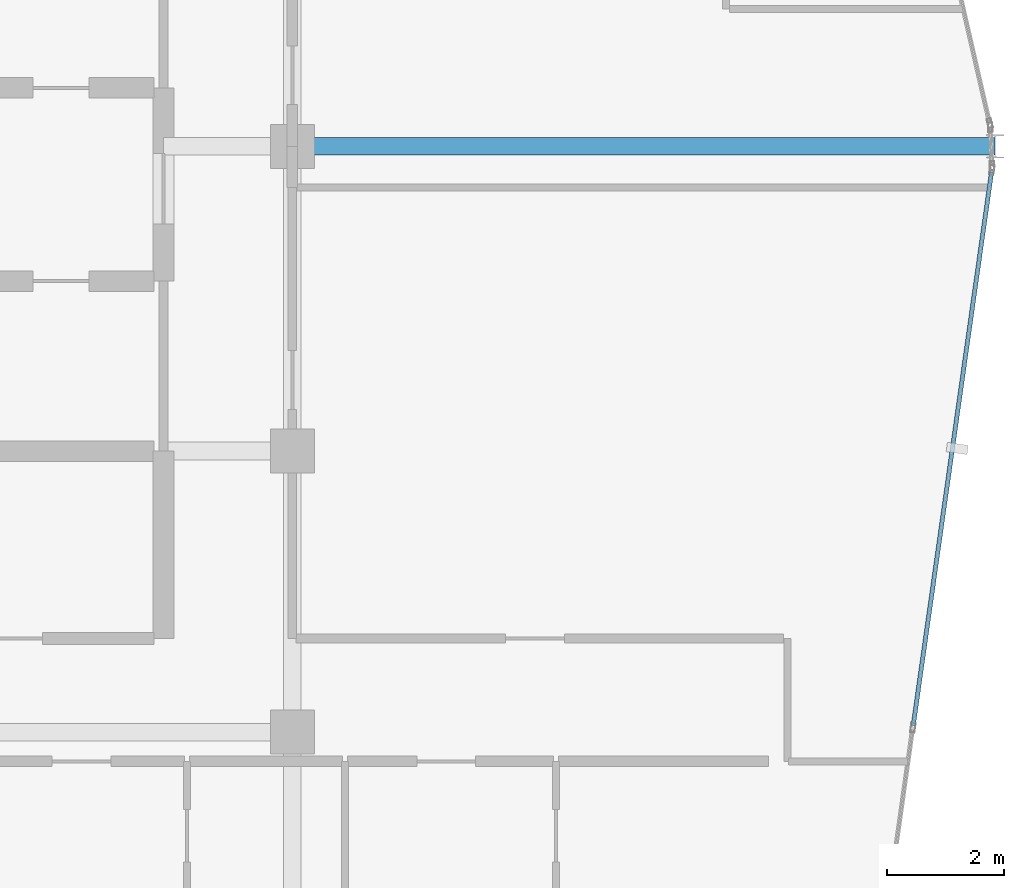
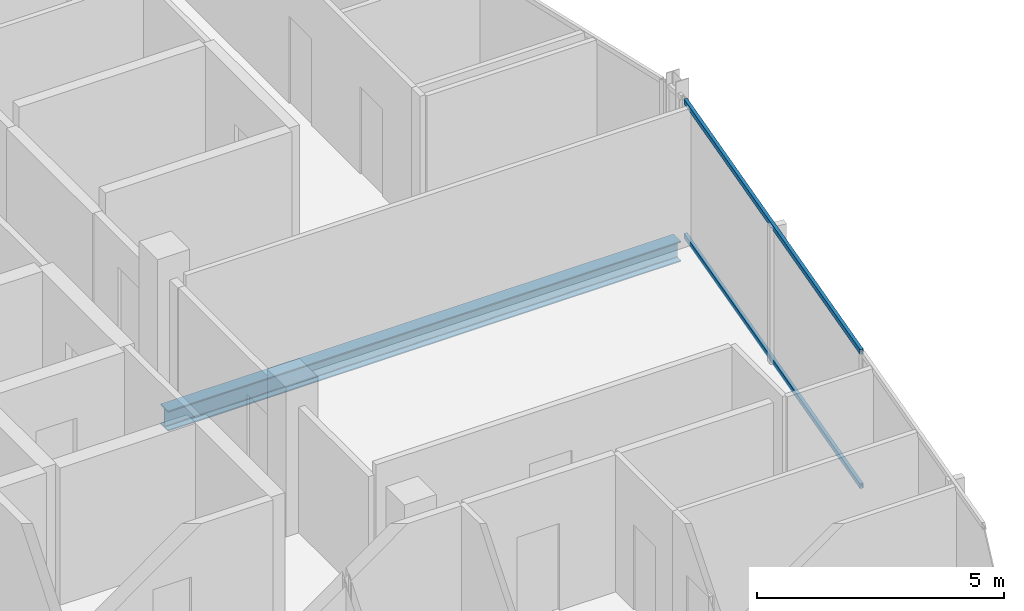
# One storey, part 15 of 30: 2 members, 1 beam, 1 element without a shape of its own.
"""IFC4 building model written with IfcOpenShell, lengths in metres."""

from ifc_helpers import new_model, si_unit, direction, frame, origin, origin_2d, place, context, subcontext, project, spatial, hollow_rectangle, i_section, extrude, material, layer, layer_set, material_profile, profile_set, type_object, element, aggregate, save


model = new_model("IFC4")

# Units and contexts
model_context = context("Model", 3, precision=1e-05, world=origin(), true_north=direction((0.0, 1.0)))
body_context = subcontext(model_context, "Body", "Model", "MODEL_VIEW")
ifc_project = project(units=[si_unit("LENGTHUNIT", "METRE"), si_unit("AREAUNIT", "SQUARE_METRE"), si_unit("VOLUMEUNIT", "CUBIC_METRE"), si_unit("PLANEANGLEUNIT", "RADIAN"), si_unit("MASSUNIT", "GRAM", prefix="KILO")], contexts=[model_context])

# Site, building, storey
site_placement = place(None, origin())
site = spatial("IfcSite", under=ifc_project, at=site_placement, CompositionType="ELEMENT")
building_placement = place(site_placement, origin())
building = spatial("IfcBuilding", under=site, at=building_placement, Name="Keshet Zoharim Tower", CompositionType="ELEMENT")
storey_placement = place(building_placement, frame((0.0, 0.0, 280.60009765625)))
storey = spatial("IfcBuildingStorey", under=building, at=storey_placement, Name="L70", CompositionType="ELEMENT", Elevation=280.60009765625)

# Beam
ifc_material_1 = material(Name="Steel S355", Category="steel")
ifc_material_profile_1 = material_profile(ifc_material_1, i_section(OverallWidth=0.300048828125, OverallDepth=0.5, WebThickness=0.014404296875, FlangeThickness=0.028076171875, FilletRadius=0.027099609375, at=origin_2d()), Name="HEB500")
ifc_profile_set_1 = profile_set([ifc_material_profile_1], Name="Steel S355")
beam_type = type_object("IfcBeamType", Name="BM-MED-HB500", PredefinedType="BEAM", material=ifc_profile_set_1)
beam_placement = place(storey_placement, frame((33.0, 27.89990234375, -0.56005859375), z_axis=(1.0, 0.0, 0.0), x_axis=(0.0, 1.0, 0.0)))
element("IfcBeam", 1, at=beam_placement, inside=storey, type_object=beam_type, Name="L70 Primary Girder X-007", PredefinedType="BEAM", context=body_context, shape_type="SweptSolid", body=[
    extrude(i_section(OverallWidth=0.300048828125, OverallDepth=0.5, WebThickness=0.014404296875, FlangeThickness=0.028076171875, FilletRadius=0.027099609375, at=origin_2d()), origin(), (0.0, 0.0, 1.0), 12.0),
])

# Curtain wall, members
ifc_material_2 = material(Name="Aluminium 6063-T6", Category="aluminium")
ifc_layer = layer(ifc_material_2, 0.260009765625)
ifc_layer_set = layer_set([ifc_layer], Name="Aluminium 6063-T6")
curtain_wall_type = type_object("IfcCurtainWallType", Name="CW-SYS-06", PredefinedType="NOTDEFINED", material=ifc_layer_set)
curtain_wall_placement = place(storey_placement, origin())
curtain_wall = element("IfcCurtainWall", 2, at=curtain_wall_placement, inside=storey, type_object=curtain_wall_type, Name="L70 Unitised Curtain Wall 11", PredefinedType="NOTDEFINED")
ifc_material_profile_2 = material_profile(ifc_material_2, hollow_rectangle(XDim=0.074951171875, YDim=0.1201171875, WallThickness=0.00390625, at=origin_2d()), Name="TRN-75x120")
ifc_profile_set_2 = profile_set([ifc_material_profile_2], Name="Aluminium 6063-T6")
member_type = type_object("IfcMemberType", Name="CWT-T12", PredefinedType="USERDEFINED", material=ifc_profile_set_2)
member_1_placement = place(storey_placement, frame((44.938232421875, 27.462646484375, 0.034912109375), z_axis=(-0.140150169695, -0.990130259074, 0.0), x_axis=(0.990130259074, -0.140150169695, 0.0)))
member_1 = element("IfcMember", 3, at=member_1_placement, type_object=member_type, Name="CW-06 transom 1.1", ObjectType="TRANSOM", PredefinedType="USERDEFINED", context=body_context, shape_type="SweptSolid", body=[
    extrude(hollow_rectangle(XDim=0.074951171875, YDim=0.1201171875, WallThickness=0.00390625, at=origin_2d()), origin(), (0.0, 0.0, 1.0), 9.546142578125),
])
member_2_placement = place(storey_placement, frame((44.938232421875, 27.462646484375, 3.35498046875), z_axis=(-0.140150169695, -0.990130259074, 0.0), x_axis=(0.990130259074, -0.140150169695, 0.0)))
member_2 = element("IfcMember", 4, at=member_2_placement, type_object=member_type, Name="CW-06 transom 1.2", ObjectType="TRANSOM", PredefinedType="USERDEFINED", context=body_context, shape_type="SweptSolid", body=[
    extrude(hollow_rectangle(XDim=0.074951171875, YDim=0.1201171875, WallThickness=0.00390625, at=origin_2d()), origin(), (0.0, 0.0, 1.0), 9.546142578125),
])
aggregate(curtain_wall, [member_1, member_2])

save(model, "model.ifc")
